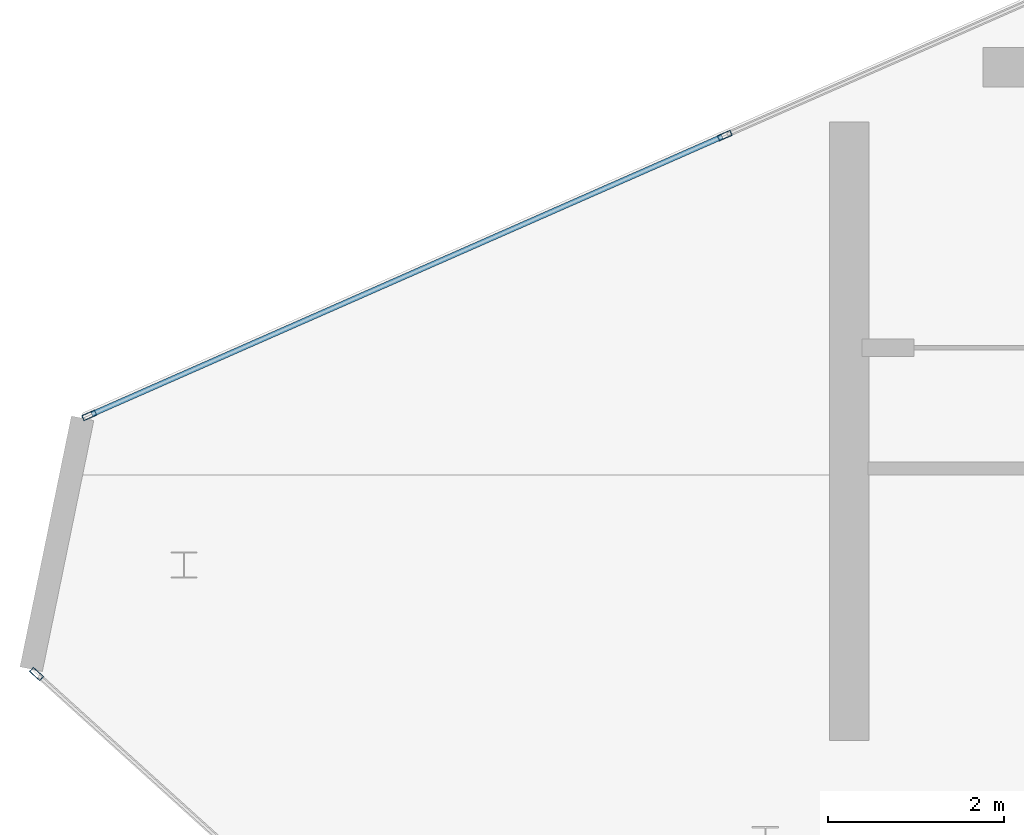
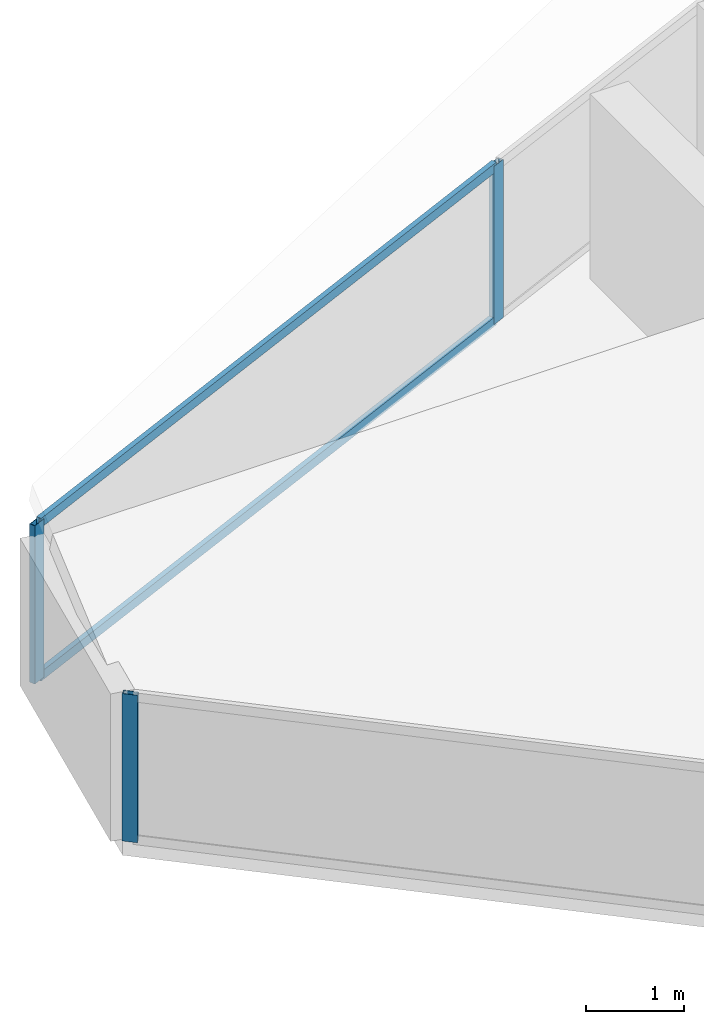
# One storey, part 7 of 13: 5 members, 2 elements without a shape of their own.
"""IFC4 building model written with IfcOpenShell, lengths in metres."""

import ifcopenshell
import ifcopenshell.guid

model = None  # the IFC model being written
_history = None  # IfcOwnerHistory: only IFC2X3 demands one
_inside = {}  # id of a spatial element -> (the spatial element, [elements in it])
_under = {}  # id of a project, library or spatial element -> (it, [spatial elements below it])
_declared = {}  # id of a project -> (the project, [libraries it declares])
_typed = {}  # id of a type object -> (the type object, [elements of that type])
_made_of = {}  # id of a material, layer set ... -> (it, [elements and type objects made of it])


def new_model(schema):
    """Start an empty IFC model of exactly this schema.

    Asked for "IFC4X3", IfcOpenShell would pick the latest addendum, in which some entities
    have other attributes; the version numbers below select the first issue.
    IFC2X3 requires an IfcOwnerHistory on every rooted entity: one is made here for all.
    """
    global model, _history
    if schema == "IFC4X3":
        model = ifcopenshell.file(schema_version=(4, 3, 0, 0))
    else:
        model = ifcopenshell.file(schema=schema)
    _inside.clear()
    _under.clear()
    _declared.clear()
    _typed.clear()
    _made_of.clear()
    _history = None
    if model.schema == "IFC2X3":
        org = make("IfcOrganization", Name="unknown")
        user = make(
            "IfcPersonAndOrganization",
            ThePerson=make("IfcPerson", FamilyName="unknown"),
            TheOrganization=org,
        )
        app = make(
            "IfcApplication",
            ApplicationDeveloper=org,
            Version="unknown",
            ApplicationFullName="unknown",
            ApplicationIdentifier="unknown",
        )
        _history = make(
            "IfcOwnerHistory",
            OwningUser=user,
            OwningApplication=app,
            ChangeAction="ADDED",
            CreationDate=0,
        )
    return model


def make(cls, **values):
    """One entity of the class cls with the attributes given. An attribute that is None is left unset."""
    return model.create_entity(
        cls, **{name: value for name, value in values.items() if value is not None}
    )


def rooted(cls, **values):
    """An entity with a GlobalId (a new one), such as an element, a storey or a relation."""
    return make(cls, GlobalId=ifcopenshell.guid.new(), OwnerHistory=_history, **values)


def si_unit(unit_type, name, prefix=None):
    """IfcSIUnit, for example si_unit("LENGTHUNIT", "METRE", prefix="MILLI")."""
    return make("IfcSIUnit", UnitType=unit_type, Prefix=prefix, Name=name)


def assignment(units):
    """IfcUnitAssignment: the units of a project."""
    return None if units is None else make("IfcUnitAssignment", Units=units)


def point(xyz):
    """IfcCartesianPoint."""
    return None if xyz is None else make("IfcCartesianPoint", Coordinates=xyz)


def direction(xyz):
    """IfcDirection."""
    return None if xyz is None else make("IfcDirection", DirectionRatios=xyz)


def frame(location, z_axis=None, x_axis=None):
    """IfcAxis2Placement3D, a coordinate frame: its origin and axes. An axis left out is left unset."""
    return make(
        "IfcAxis2Placement3D",
        Location=point(location),
        Axis=direction(z_axis),
        RefDirection=direction(x_axis),
    )


def frame_2d(location, x_axis=None):
    """IfcAxis2Placement2D, a coordinate frame in the plane: its origin and x axis."""
    return make(
        "IfcAxis2Placement2D", Location=point(location), RefDirection=direction(x_axis)
    )


def origin():
    """The frame at (0, 0, 0) with its axes left unset."""
    return frame((0.0, 0.0, 0.0))


def origin_2d():
    """The frame at (0, 0) in the plane with its x axis left unset."""
    return frame_2d((0.0, 0.0))


def place(relative_to, where):
    """IfcLocalPlacement: puts the frame where relative to a parent placement (None: the world)."""
    return make(
        "IfcLocalPlacement", PlacementRelTo=relative_to, RelativePlacement=where
    )


def context(
    kind, dimensions, precision=None, world=None, true_north=None, identifier=None
):
    """IfcGeometricRepresentationContext, for example the 3D "Model" context."""
    return make(
        "IfcGeometricRepresentationContext",
        ContextIdentifier=identifier,
        ContextType=kind,
        CoordinateSpaceDimension=dimensions,
        Precision=precision,
        WorldCoordinateSystem=world,
        TrueNorth=true_north,
    )


def subcontext(parent, identifier, kind, view, scale=None):
    """IfcGeometricRepresentationSubContext, for example "Body" below "Model"."""
    return make(
        "IfcGeometricRepresentationSubContext",
        ContextIdentifier=identifier,
        ContextType=kind,
        ParentContext=parent,
        TargetScale=scale,
        TargetView=view,
    )


def project(units=None, contexts=None):
    """IfcProject with its units and contexts."""
    return rooted(
        "IfcProject",
        Name="project",
        RepresentationContexts=contexts,
        UnitsInContext=assignment(units),
    )


def spatial(cls, under=None, at=None, **own):
    """A site, building, storey or space (cls), placed at a placement, below another one or the project."""
    s = rooted(cls, ObjectPlacement=at, **own)
    if under is not None:
        _under.setdefault(under.id(), (under, []))[1].append(s)
    return s


def profile(cls, at=None, kind="AREA", **sizes):
    """A parametric profile (cls). Its sizes go by their IFC names, for example OverallWidth=200.0."""
    return make(cls, ProfileType=kind, Position=at, **sizes)


def hollow_rectangle(**sizes):
    """IfcRectangleHollowProfileDef."""
    return profile("IfcRectangleHollowProfileDef", **sizes)


def extrude(swept, where, along, depth):
    """IfcExtrudedAreaSolid: the profile swept, set in the frame where, extruded along a direction by depth."""
    return make(
        "IfcExtrudedAreaSolid",
        SweptArea=swept,
        Position=where,
        ExtrudedDirection=direction(along),
        Depth=depth,
    )


def shape(context_of_items, identifier, shape_type, items):
    """IfcShapeRepresentation: the items that make up one representation, for example the "Body"."""
    return make(
        "IfcShapeRepresentation",
        ContextOfItems=context_of_items,
        RepresentationIdentifier=identifier,
        RepresentationType=shape_type,
        Items=items,
    )


def material(Name=None, Category=None):
    """IfcMaterial."""
    return make("IfcMaterial", Name=Name, Category=Category)


def layer(
    of_material, thickness, ventilated=None, Name=None, Category=None, Priority=None
):
    """IfcMaterialLayer: one layer of a wall or slab, of a material (None: an air gap)."""
    return make(
        "IfcMaterialLayer",
        Material=of_material,
        LayerThickness=thickness,
        IsVentilated=ventilated,
        Name=Name,
        Category=Category,
        Priority=Priority,
    )


def layer_set(layers, Name=None):
    """IfcMaterialLayerSet."""
    return make("IfcMaterialLayerSet", MaterialLayers=layers, LayerSetName=Name)


def material_profile(
    of_material, cross_section, Name=None, Category=None, Priority=None
):
    """IfcMaterialProfile: a cross section and its material."""
    return make(
        "IfcMaterialProfile",
        Name=Name,
        Material=of_material,
        Profile=cross_section,
        Priority=Priority,
        Category=Category,
    )


def profile_set(profiles, Name=None, composite=None):
    """IfcMaterialProfileSet."""
    return make(
        "IfcMaterialProfileSet",
        Name=Name,
        MaterialProfiles=profiles,
        CompositeProfile=composite,
    )


def made_of(thing, what):
    """Note that an element or type object is made of a material, layer set ...; save() writes the relation."""
    if what is not None:
        _made_of.setdefault(what.id(), (what, []))[1].append(thing)
    return thing


def type_object(cls, material=None, **own):
    """A type object (cls), such as IfcWallType, which elements share."""
    return made_of(rooted(cls, **own), material)


def element(
    cls,
    number,
    at=None,
    inside=None,
    cuts=None,
    type_object=None,
    material=None,
    context=None,
    identifier="Body",
    shape_type=None,
    held_by="IfcProductDefinitionShape",
    body=None,
    shapes=None,
    **own,
):
    """One element of the class cls, such as IfcWall. Its Tag is "e" and its number.

    at: its placement. inside: the storey or other place that contains it. cuts: it is an
    opening in that element (IfcRelVoidsElement). A single representation is given by context,
    identifier, shape_type and body (its items); several are given by shapes. held_by: the class
    of the entity that holds the representations. save() writes the other relations.
    """
    e = rooted(cls, Tag="e%d" % number, ObjectPlacement=at, **own)
    if body is not None:
        shapes = [shape(context, identifier, shape_type, body)]
    if shapes is not None:
        e.Representation = make(held_by, Representations=shapes)
    if inside is not None:
        _inside.setdefault(inside.id(), (inside, []))[1].append(e)
    if cuts is not None:
        rooted(
            "IfcRelVoidsElement", RelatingBuildingElement=cuts, RelatedOpeningElement=e
        )
    if type_object is not None:
        _typed.setdefault(type_object.id(), (type_object, []))[1].append(e)
    return made_of(e, material)


def aggregate(whole, parts):
    """IfcRelAggregates: a whole, such as a stair, and the parts it consists of."""
    return rooted("IfcRelAggregates", RelatingObject=whole, RelatedObjects=parts)


def save(model, path):
    """Write the relations noted so far, then the file.

    IfcRelAggregates (storeys below a building ...), IfcRelContainedInSpatialStructure (elements
    in a storey), IfcRelDefinesByType, IfcRelAssociatesMaterial and IfcRelDeclares: one each for
    every whole, place, type object, material and project.
    """
    for whole, parts in _under.values():
        aggregate(whole, parts)
    for where, things in _inside.values():
        rooted(
            "IfcRelContainedInSpatialStructure",
            RelatedElements=things,
            RelatingStructure=where,
        )
    for kind, things in _typed.values():
        rooted("IfcRelDefinesByType", RelatedObjects=things, RelatingType=kind)
    for what, things in _made_of.values():
        rooted("IfcRelAssociatesMaterial", RelatedObjects=things, RelatingMaterial=what)
    for by, libraries in _declared.values():
        rooted("IfcRelDeclares", RelatingContext=by, RelatedDefinitions=libraries)
    model.write(path)


model = new_model("IFC4")

# Units and contexts
model_context = context("Model", 3, precision=1e-05, world=origin(), true_north=direction((0.0, 1.0)))
body_context = subcontext(model_context, "Body", "Model", "MODEL_VIEW")
ifc_project = project(units=[si_unit("LENGTHUNIT", "METRE"), si_unit("AREAUNIT", "SQUARE_METRE"), si_unit("VOLUMEUNIT", "CUBIC_METRE"), si_unit("PLANEANGLEUNIT", "RADIAN"), si_unit("MASSUNIT", "GRAM", prefix="KILO")], contexts=[model_context])

# Site, building, storey
site_placement = place(None, origin())
site = spatial("IfcSite", under=ifc_project, at=site_placement, CompositionType="ELEMENT")
building_placement = place(site_placement, origin())
building = spatial("IfcBuilding", under=site, at=building_placement, Name="Qianvela Tower", CompositionType="ELEMENT")
storey_placement = place(building_placement, frame((0.0, 0.0, 375.050048828125)))
storey = spatial("IfcBuildingStorey", under=building, at=storey_placement, Name="L97", CompositionType="ELEMENT", Elevation=375.050048828125)

# Curtain wall, members
ifc_material_1 = material(Name="Anodised Architectural Aluminium and Low-E Glass", Category="aluminium")
ifc_layer = layer(ifc_material_1, 0.159912109375)
ifc_layer_set = layer_set([ifc_layer], Name="Anodised Architectural Aluminium and Low-E Glass")
curtain_wall_type = type_object("IfcCurtainWallType", Name="CW-CROWN", PredefinedType="USERDEFINED", material=ifc_layer_set)
curtain_wall_1_placement = place(storey_placement, origin())
curtain_wall_1 = element("IfcCurtainWall", 1, at=curtain_wall_1_placement, inside=storey, type_object=curtain_wall_type, Name="L97 CW-CROWN Curtain Wall 02", ObjectType="CURTAIN_WALL_SYSTEM", PredefinedType="USERDEFINED")
ifc_material_2 = material(Name="Anodised Architectural Aluminium 6063-T6", Category="aluminium")
ifc_material_profile_1 = material_profile(ifc_material_2, hollow_rectangle(XDim=0.06494140625, YDim=0.159912109375, WallThickness=0.0048828125, at=origin_2d()), Name="ALU-MULL-65x160")
ifc_profile_set_1 = profile_set([ifc_material_profile_1], Name="Anodised Architectural Aluminium 6063-T6")
member_type_1 = type_object("IfcMemberType", Name="CW-CROWN-MULL", PredefinedType="MULLION", material=ifc_profile_set_1)
member_1_placement = place(storey_placement, frame((28.137451171875, 31.865478515625, 0.0), z_axis=(0.0, 0.0, 1.0), x_axis=(0.402976602581, -0.915210280631, 0.0)))
member_1 = element("IfcMember", 2, at=member_1_placement, type_object=member_type_1, Name="CW-8 mullion 4", PredefinedType="MULLION", context=body_context, shape_type="SweptSolid", body=[
    extrude(hollow_rectangle(XDim=0.06494140625, YDim=0.159912109375, WallThickness=0.0048828125, at=origin_2d()), origin(), (0.0, 0.0, 1.0), 1.96630859375),
])
member_2_placement = place(storey_placement, frame((20.90234375, 28.679931640625, 0.0), z_axis=(0.0, 0.0, 1.0), x_axis=(0.402976602581, -0.915210280631, 0.0)))
member_2 = element("IfcMember", 3, at=member_2_placement, type_object=member_type_1, Name="CW-8 mullion 5", PredefinedType="MULLION", context=body_context, shape_type="SweptSolid", body=[
    extrude(hollow_rectangle(XDim=0.06494140625, YDim=0.159912109375, WallThickness=0.0048828125, at=origin_2d()), origin(), (0.0, 0.0, 1.0), 1.96630859375),
])

# Curtain wall, member
curtain_wall_2_placement = place(storey_placement, origin())
curtain_wall_2 = element("IfcCurtainWall", 4, at=curtain_wall_2_placement, inside=storey, type_object=curtain_wall_type, Name="L97 CW-CROWN Curtain Wall 04", ObjectType="CURTAIN_WALL_SYSTEM", PredefinedType="USERDEFINED")
member_3_placement = place(storey_placement, frame((20.302978515625, 25.735595703125, 0.0), z_axis=(0.0, 0.0, 1.0), x_axis=(0.671200098707, 0.741276215385, 0.0)))
member_3 = element("IfcMember", 5, at=member_3_placement, type_object=member_type_1, Name="CW-8 mullion 1", PredefinedType="MULLION", context=body_context, shape_type="SweptSolid", body=[
    extrude(hollow_rectangle(XDim=0.06494140625, YDim=0.159912109375, WallThickness=0.0048828125, at=origin_2d()), origin(), (0.0, 0.0, 1.0), 1.831787109375),
])
aggregate(curtain_wall_2, [member_3])

# Member
ifc_material_3 = material(Name="Anodised Architectural Aluminium 6063-T6", Category="aluminium")
ifc_material_profile_2 = material_profile(ifc_material_3, hollow_rectangle(XDim=0.06005859375, YDim=0.114990234375, WallThickness=0.00390625, at=origin_2d()), Name="ALU-TRAN-60x115")
ifc_profile_set_2 = profile_set([ifc_material_profile_2], Name="Anodised Architectural Aluminium 6063-T6")
member_type_2 = type_object("IfcMemberType", Name="CW-CROWN-TRAN", PredefinedType="USERDEFINED", material=ifc_profile_set_2)
member_4_placement = place(storey_placement, frame((28.107666015625, 31.8525390625, 0.030029296875), z_axis=(-0.915212151392, -0.402972353821, 0.0), x_axis=(0.402972353821, -0.915212151392, 0.0)))
member_4 = element("IfcMember", 6, at=member_4_placement, type_object=member_type_2, Name="CW-8 transom 4.1", ObjectType="TRANSOM", PredefinedType="USERDEFINED", context=body_context, shape_type="SweptSolid", body=[
    extrude(hollow_rectangle(XDim=0.06005859375, YDim=0.114990234375, WallThickness=0.00390625, at=origin_2d()), origin(), (0.0, 0.0, 1.0), 7.84033203125),
])

member_5_placement = place(storey_placement, frame((28.107666015625, 31.8525390625, 1.936279296875), z_axis=(-0.915212151392, -0.402972353821, 0.0), x_axis=(0.402972353821, -0.915212151392, 0.0)))
member_5 = element("IfcMember", 7, at=member_5_placement, type_object=member_type_2, Name="CW-8 transom 4.2", ObjectType="TRANSOM", PredefinedType="USERDEFINED", context=body_context, shape_type="SweptSolid", body=[
    extrude(hollow_rectangle(XDim=0.06005859375, YDim=0.114990234375, WallThickness=0.00390625, at=origin_2d()), origin(), (0.0, 0.0, 1.0), 7.84033203125),
])

aggregate(curtain_wall_1, [member_1, member_2, member_4, member_5])

save(model, "model.ifc")
